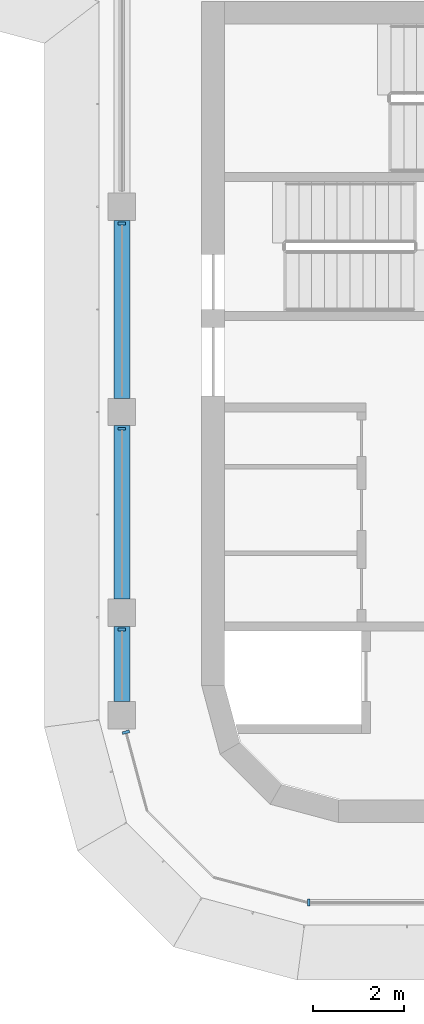
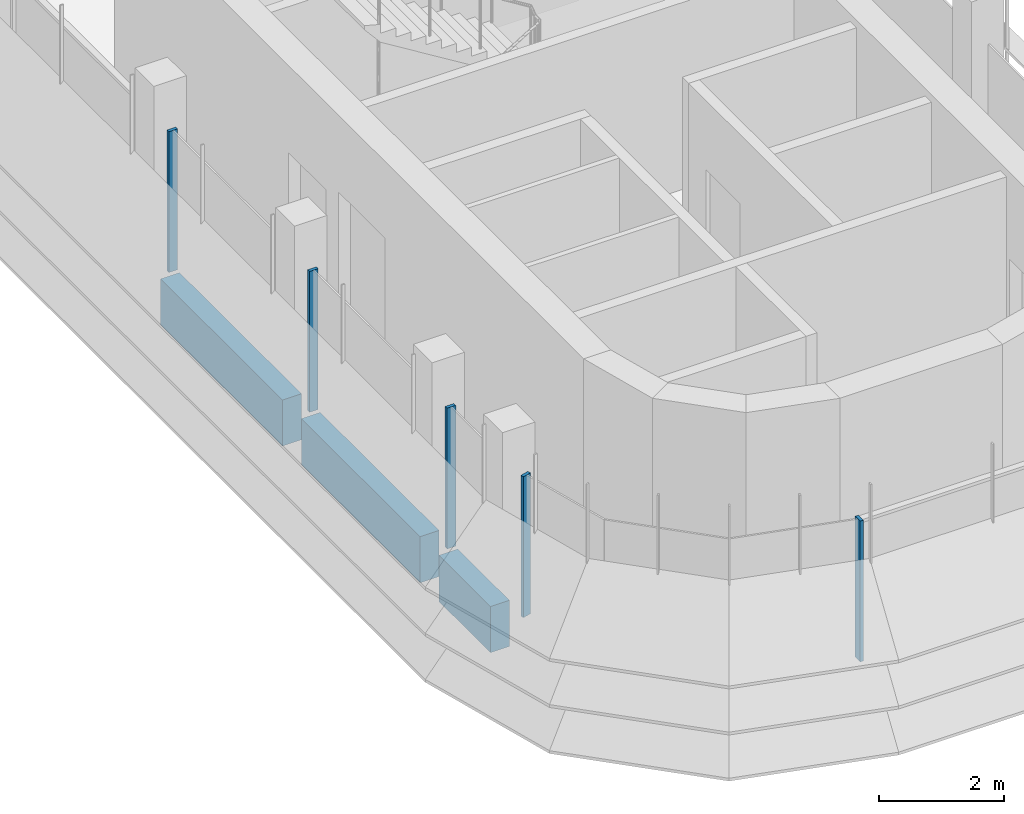
# One storey, part 2 of 19: 5 members, 3 beams, 3 elements without a shape of their own.
"""IFC4 building model written with IfcOpenShell, lengths in metres."""

from ifc_helpers import new_model, si_unit, direction, frame, origin, origin_2d, place, context, subcontext, project, spatial, polyline, rectangle, outline, extrude, source, transform, mapped, material, material_profile, profile_set, type_object, element, aggregate, save


model = new_model("IFC4")

# Units and contexts
model_context = context("Model", 3, precision=1e-05, world=origin(), true_north=direction((0.0, 1.0)))
body_context = subcontext(model_context, "Body", "Model", "MODEL_VIEW")
ifc_project = project(units=[si_unit("LENGTHUNIT", "METRE"), si_unit("AREAUNIT", "SQUARE_METRE"), si_unit("VOLUMEUNIT", "CUBIC_METRE"), si_unit("PLANEANGLEUNIT", "RADIAN"), si_unit("MASSUNIT", "GRAM", prefix="KILO")], contexts=[model_context])

# Site, building, storey
site_placement = place(None, origin())
site = spatial("IfcSite", under=ifc_project, at=site_placement, CompositionType="ELEMENT")
building_placement = place(site_placement, origin())
building = spatial("IfcBuilding", under=site, at=building_placement, Name="Zarbagh Exchange Tower", CompositionType="ELEMENT")
storey_placement = place(building_placement, frame((0.0, 0.0, 272.60009765625)))
storey = spatial("IfcBuildingStorey", under=building, at=storey_placement, Name="L67", CompositionType="ELEMENT", Elevation=272.60009765625)

# Beams
ifc_material_1 = material(Name="Concrete C40/50", Category="concrete")
ifc_material_profile = material_profile(ifc_material_1, rectangle(XDim=0.35009765625, YDim=0.89990234375, at=origin_2d()), Name="RC spandrel beam 350 x 900 C40/50")
ifc_profile_set = profile_set([ifc_material_profile], Name="Concrete C40/50")
beam_type = type_object("IfcBeamType", Name="RC spandrel beam 350 x 900 C40/50", PredefinedType="SPANDREL", material=ifc_profile_set)
beam_1_placement = place(storey_placement, frame((-6.25, -26.60009765625, -0.60009765625), z_axis=(0.0, 1.0, 0.0), x_axis=(-1.0, 0.0, 0.0)))
element("IfcBeam", 1, at=beam_1_placement, inside=storey, type_object=beam_type, Name="RC spandrel beam", PredefinedType="SPANDREL", context=body_context, shape_type="SweptSolid", body=[
    extrude(rectangle(XDim=0.35009765625, YDim=0.89990234375, at=origin_2d()), origin(), (0.0, 0.0, 1.0), 1.650146484375),
])
beam_2_placement = place(storey_placement, frame((-6.25, -24.35009765625, -0.60009765625), z_axis=(0.0, 1.0, 0.0), x_axis=(-1.0, 0.0, 0.0)))
element("IfcBeam", 2, at=beam_2_placement, inside=storey, type_object=beam_type, Name="RC spandrel beam", PredefinedType="SPANDREL", context=body_context, shape_type="SweptSolid", body=[
    extrude(rectangle(XDim=0.35009765625, YDim=0.89990234375, at=origin_2d()), origin(), (0.0, 0.0, 1.0), 3.800048828125),
])
beam_3_placement = place(storey_placement, frame((-6.25, -19.949951171875, -0.60009765625), z_axis=(0.0, 1.0, 0.0), x_axis=(-1.0, 0.0, 0.0)))
element("IfcBeam", 3, at=beam_3_placement, inside=storey, type_object=beam_type, Name="RC spandrel beam", PredefinedType="SPANDREL", context=body_context, shape_type="SweptSolid", body=[
    extrude(rectangle(XDim=0.35009765625, YDim=0.89990234375, at=origin_2d()), origin(), (0.0, 0.0, 1.0), 3.89990234375),
])

# Curtain wall, members
ifc_material_2 = material(Name="Anodised aluminium frame and glazing", Category="aluminium")
curtain_wall_type = type_object("IfcCurtainWallType", Name="CWB Ribbon glazing, upper zones", PredefinedType="NOTDEFINED", material=ifc_material_2)
curtain_wall_1_placement = place(storey_placement, origin())
curtain_wall_1 = element("IfcCurtainWall", 4, at=curtain_wall_1_placement, inside=storey, type_object=curtain_wall_type, Name="CWB53 curtain wall", PredefinedType="NOTDEFINED")
ifc_material_3 = material(Name="Anodised aluminium frame", Category="aluminium")
member_type = type_object("IfcMemberType", Name="MUB Mullion, anodised aluminium frame", PredefinedType="MULLION", material=ifc_material_3)
shared_shape = source(origin(), body_context, "Body", "SweptSolid", [
    extrude(outline(polyline([(0.0, -0.080078125), (0.06005859375, -0.080078125), (0.06005859375, 0.080078125), (0.0, 0.080078125), (0.0, -0.080078125)])), origin(), (0.0, 0.0, 1.0), 2.75),
])
placement = place(storey_placement, origin())
member_1 = element("IfcMember", 5, at=placement, type_object=member_type, Name="CWB53 mullion 2.1", PredefinedType="MULLION", context=body_context, shape_type="MappedRepresentation", body=[
    mapped(shared_shape, transform((-6.25, -16.090087890625, 0.0), x_axis=(0.0, -1.0, 0.0), y_axis=(1.0, 0.0, 0.0), z_axis=(0.0, 0.0, 1.0))),
])
member_2 = element("IfcMember", 6, at=placement, type_object=member_type, Name="CWB53 mullion 3.1", PredefinedType="MULLION", context=body_context, shape_type="MappedRepresentation", body=[
    mapped(shared_shape, transform((-6.25, -20.590087890625, 0.0), x_axis=(0.0, -1.0, 0.0), y_axis=(1.0, 0.0, 0.0), z_axis=(0.0, 0.0, 1.0))),
])
member_3 = element("IfcMember", 7, at=placement, type_object=member_type, Name="CWB53 mullion 4.1", PredefinedType="MULLION", context=body_context, shape_type="MappedRepresentation", body=[
    mapped(shared_shape, transform((-6.25, -24.989990234375, 0.0), x_axis=(0.0, -1.0, 0.0), y_axis=(1.0, 0.0, 0.0), z_axis=(0.0, 0.0, 1.0))),
])
aggregate(curtain_wall_1, [member_1, member_2, member_3])

# Curtain wall, member
curtain_wall_2_placement = place(storey_placement, origin())
curtain_wall_2 = element("IfcCurtainWall", 8, at=curtain_wall_2_placement, inside=storey, type_object=curtain_wall_type, Name="CWB54 curtain wall", PredefinedType="NOTDEFINED")
member_4 = element("IfcMember", 9, at=placement, type_object=member_type, Name="CWB54 mullion 1.1", PredefinedType="MULLION", context=body_context, shape_type="MappedRepresentation", body=[
    mapped(shared_shape, transform((-6.16796875, -27.239990234375, 0.0), x_axis=(0.258824779902, -0.965924289636, 0.0), y_axis=(0.965924289636, 0.258824779902, 0.0), z_axis=(0.0, 0.0, 1.0))),
])
aggregate(curtain_wall_2, [member_4])

curtain_wall_3_placement = place(storey_placement, origin())
curtain_wall_3 = element("IfcCurtainWall", 10, at=curtain_wall_3_placement, inside=storey, type_object=curtain_wall_type, Name="CWB57 curtain wall", PredefinedType="NOTDEFINED")
member_5 = element("IfcMember", 11, at=placement, type_object=member_type, Name="CWB57 mullion 1.1", PredefinedType="MULLION", context=body_context, shape_type="MappedRepresentation", body=[
    mapped(shared_shape, transform((-2.18408203125, -31.0, 0.0), x_axis=(1.0, 0.0, 0.0), y_axis=(0.0, 1.0, 0.0), z_axis=(0.0, 0.0, 1.0))),
])
aggregate(curtain_wall_3, [member_5])

save(model, "model.ifc")
